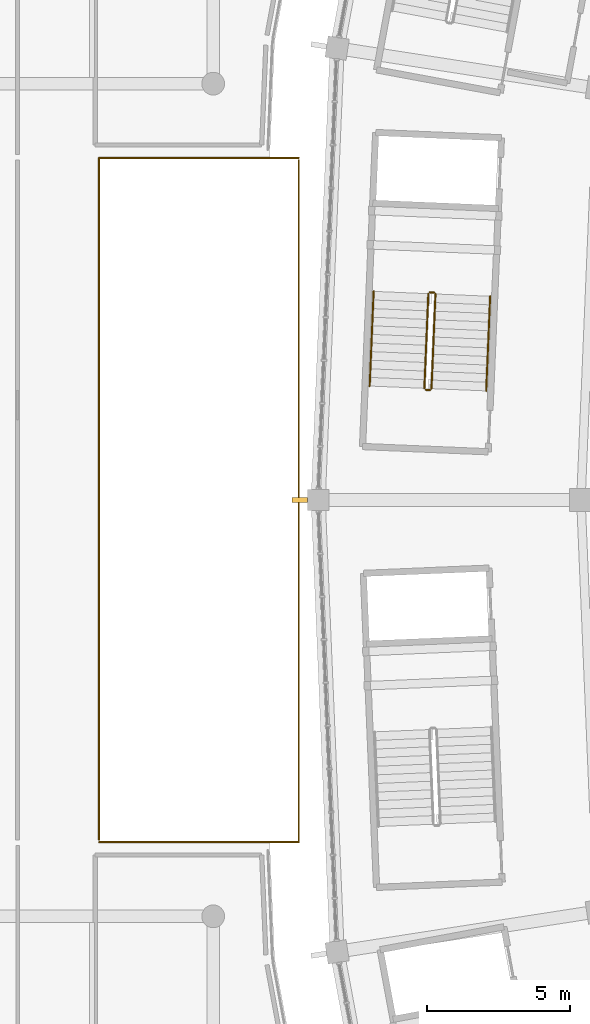
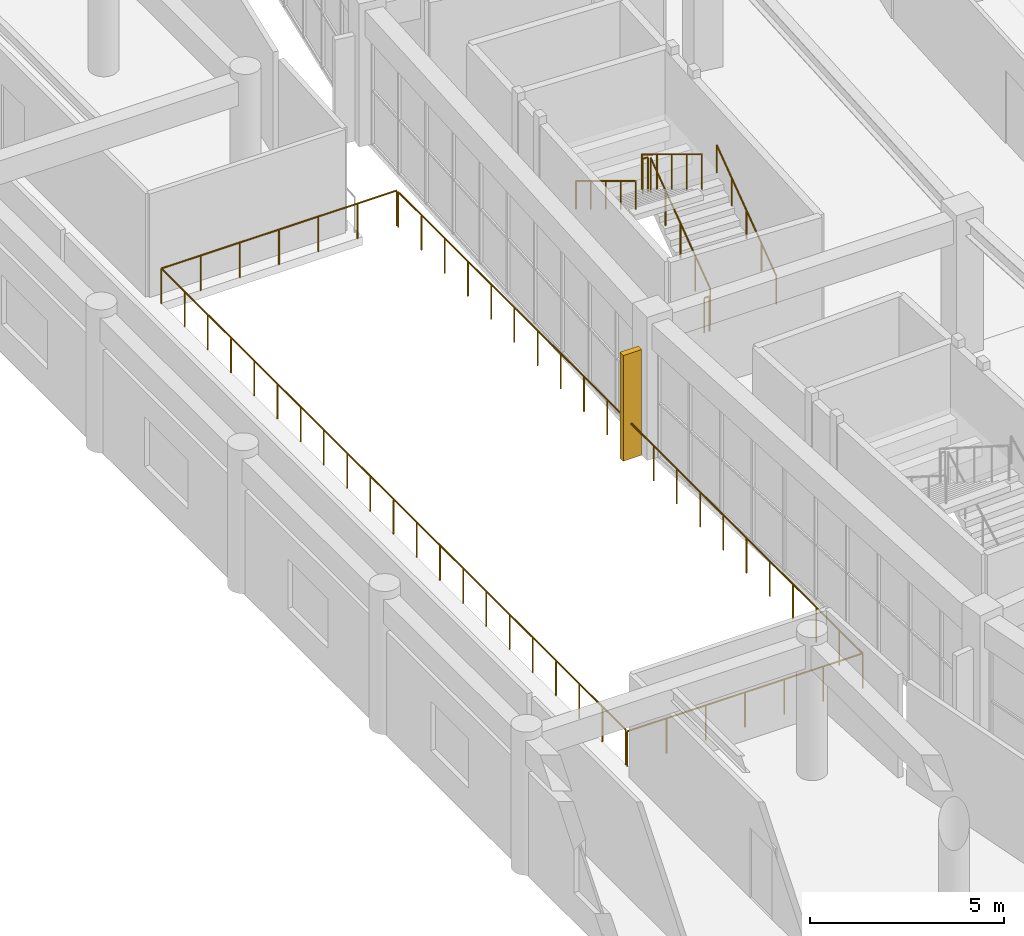
# One storey, part 121 of 141: 8 railings, 1 shading device.
"""IFC4 building model written with IfcOpenShell, lengths in metres."""

from ifc_helpers import new_model, si_unit, direction, frame, origin, origin_2d, place, context, subcontext, project, spatial, rectangle, circle, extrude, material, type_object, element, save


model = new_model("IFC4")

# Units and contexts
model_context = context("Model", 3, precision=1e-05, world=origin(), true_north=direction((0.0, 1.0)))
body_context = subcontext(model_context, "Body", "Model", "MODEL_VIEW")
ifc_project = project(units=[si_unit("LENGTHUNIT", "METRE"), si_unit("AREAUNIT", "SQUARE_METRE"), si_unit("VOLUMEUNIT", "CUBIC_METRE"), si_unit("PLANEANGLEUNIT", "RADIAN"), si_unit("MASSUNIT", "GRAM", prefix="KILO")], contexts=[model_context])

# Site, building, storey
site_placement = place(None, origin())
site = spatial("IfcSite", under=ifc_project, at=site_placement, CompositionType="ELEMENT")
building_placement = place(site_placement, origin())
building = spatial("IfcBuilding", under=site, at=building_placement, Name="Mphavela Belvedere Stadium", CompositionType="ELEMENT")
storey_placement = place(building_placement, frame((0.0, 0.0, 14.699951171875)))
storey = spatial("IfcBuildingStorey", under=building, at=storey_placement, Name="L03", CompositionType="ELEMENT", Elevation=14.699951171875)

# Railings
ifc_material_1 = material(Name="Bronze and laminated glass stadium balustrade", Category="glass")
railing_type_1 = type_object("IfcRailingType", Name="RAL-BALUSTRADE-1120", PredefinedType="BALUSTRADE", material=ifc_material_1)
railing_1_placement = place(storey_placement, frame((4.5, 75.0, 0.0)))
element("IfcRailing", 1, at=railing_1_placement, inside=storey, type_object=railing_type_1, Name="West Planted Eaves Peristyle Colonnade court balustrade L03-A", PredefinedType="BALUSTRADE", context=body_context, shape_type="SweptSolid", body=[
    extrude(circle(Radius=0.02392578125, at=origin_2d()), frame((0.0, 0.0, 1.09619140625), z_axis=(1.0, 0.0, 0.0), x_axis=(0.0, 1.0, 0.0)), (0.0, 0.0, 1.0), 7.0),
    extrude(circle(Radius=0.02392578125, at=origin_2d()), frame((7.0, 0.0, 1.09619140625), z_axis=(0.0, 1.0, 0.0), x_axis=(-1.0, 0.0, 0.0)), (0.0, 0.0, 1.0), 23.919921875),
    extrude(circle(Radius=0.02099609375, at=origin_2d()), origin(), (0.0, 0.0, 1.0), 1.072021484375),
    extrude(circle(Radius=0.02099609375, at=origin_2d()), frame((1.166748046875, 0.0, 0.0)), (0.0, 0.0, 1.0), 1.072021484375),
    extrude(circle(Radius=0.02099609375, at=origin_2d()), frame((2.333251953125, 0.0, 0.0)), (0.0, 0.0, 1.0), 1.072021484375),
    extrude(circle(Radius=0.02099609375, at=origin_2d()), frame((3.5, 0.0, 0.0)), (0.0, 0.0, 1.0), 1.072021484375),
    extrude(circle(Radius=0.02099609375, at=origin_2d()), frame((4.666748046875, 0.0, 0.0)), (0.0, 0.0, 1.0), 1.072021484375),
    extrude(circle(Radius=0.02099609375, at=origin_2d()), frame((5.833251953125, 0.0, 0.0)), (0.0, 0.0, 1.0), 1.072021484375),
    extrude(circle(Radius=0.02099609375, at=origin_2d()), frame((7.0, 0.0, 0.0)), (0.0, 0.0, 1.0), 1.072021484375),
    extrude(circle(Radius=0.02099609375, at=origin_2d()), frame((7.0, 1.196044921875, 0.0)), (0.0, 0.0, 1.0), 1.072021484375),
    extrude(circle(Radius=0.02099609375, at=origin_2d()), frame((7.0, 2.39208984375, 0.0)), (0.0, 0.0, 1.0), 1.072021484375),
    extrude(circle(Radius=0.02099609375, at=origin_2d()), frame((7.0, 3.587890625, 0.0)), (0.0, 0.0, 1.0), 1.072021484375),
    extrude(circle(Radius=0.02099609375, at=origin_2d()), frame((7.0, 4.783935546875, 0.0)), (0.0, 0.0, 1.0), 1.072021484375),
    extrude(circle(Radius=0.02099609375, at=origin_2d()), frame((7.0, 5.97998046875, 0.0)), (0.0, 0.0, 1.0), 1.072021484375),
    extrude(circle(Radius=0.02099609375, at=origin_2d()), frame((7.0, 7.176025390625, 0.0)), (0.0, 0.0, 1.0), 1.072021484375),
    extrude(circle(Radius=0.02099609375, at=origin_2d()), frame((7.0, 8.3720703125, 0.0)), (0.0, 0.0, 1.0), 1.072021484375),
    extrude(circle(Radius=0.02099609375, at=origin_2d()), frame((7.0, 9.56787109375, 0.0)), (0.0, 0.0, 1.0), 1.072021484375),
    extrude(circle(Radius=0.02099609375, at=origin_2d()), frame((7.0, 10.763916015625, 0.0)), (0.0, 0.0, 1.0), 1.072021484375),
    extrude(circle(Radius=0.02099609375, at=origin_2d()), frame((7.0, 11.9599609375, 0.0)), (0.0, 0.0, 1.0), 1.072021484375),
    extrude(circle(Radius=0.02099609375, at=origin_2d()), frame((7.0, 13.156005859375, 0.0)), (0.0, 0.0, 1.0), 1.072021484375),
    extrude(circle(Radius=0.02099609375, at=origin_2d()), frame((7.0, 14.35205078125, 0.0)), (0.0, 0.0, 1.0), 1.072021484375),
    extrude(circle(Radius=0.02099609375, at=origin_2d()), frame((7.0, 15.5478515625, 0.0)), (0.0, 0.0, 1.0), 1.072021484375),
    extrude(circle(Radius=0.02099609375, at=origin_2d()), frame((7.0, 16.743896484375, 0.0)), (0.0, 0.0, 1.0), 1.072021484375),
    extrude(circle(Radius=0.02099609375, at=origin_2d()), frame((7.0, 17.93994140625, 0.0)), (0.0, 0.0, 1.0), 1.072021484375),
    extrude(circle(Radius=0.02099609375, at=origin_2d()), frame((7.0, 19.135986328125, 0.0)), (0.0, 0.0, 1.0), 1.072021484375),
    extrude(circle(Radius=0.02099609375, at=origin_2d()), frame((7.0, 20.33203125, 0.0)), (0.0, 0.0, 1.0), 1.072021484375),
    extrude(circle(Radius=0.02099609375, at=origin_2d()), frame((7.0, 21.52783203125, 0.0)), (0.0, 0.0, 1.0), 1.072021484375),
    extrude(circle(Radius=0.02099609375, at=origin_2d()), frame((7.0, 22.723876953125, 0.0)), (0.0, 0.0, 1.0), 1.072021484375),
    extrude(circle(Radius=0.02099609375, at=origin_2d()), frame((7.0, 23.919921875, 0.0)), (0.0, 0.0, 1.0), 1.072021484375),
])
railing_2_placement = place(storey_placement, frame((11.5, 99.0, 0.0)))
element("IfcRailing", 2, at=railing_2_placement, inside=storey, type_object=railing_type_1, Name="West Planted Eaves Peristyle Colonnade court balustrade L03-B", PredefinedType="BALUSTRADE", context=body_context, shape_type="SweptSolid", body=[
    extrude(circle(Radius=0.02392578125, at=origin_2d()), frame((0.0, 0.0, 1.09619140625), z_axis=(-1.0, 0.0, 0.0), x_axis=(0.0, -1.0, 0.0)), (0.0, 0.0, 1.0), 7.0),
    extrude(circle(Radius=0.02392578125, at=origin_2d()), frame((-7.0, 0.0, 1.09619140625), z_axis=(0.0, -1.0, 0.0), x_axis=(1.0, 0.0, 0.0)), (0.0, 0.0, 1.0), 23.919921875),
    extrude(circle(Radius=0.02099609375, at=origin_2d()), origin(), (0.0, 0.0, 1.0), 1.072021484375),
    extrude(circle(Radius=0.02099609375, at=origin_2d()), frame((-1.166748046875, 0.0, 0.0)), (0.0, 0.0, 1.0), 1.072021484375),
    extrude(circle(Radius=0.02099609375, at=origin_2d()), frame((-2.333251953125, 0.0, 0.0)), (0.0, 0.0, 1.0), 1.072021484375),
    extrude(circle(Radius=0.02099609375, at=origin_2d()), frame((-3.5, 0.0, 0.0)), (0.0, 0.0, 1.0), 1.072021484375),
    extrude(circle(Radius=0.02099609375, at=origin_2d()), frame((-4.666748046875, 0.0, 0.0)), (0.0, 0.0, 1.0), 1.072021484375),
    extrude(circle(Radius=0.02099609375, at=origin_2d()), frame((-5.833251953125, 0.0, 0.0)), (0.0, 0.0, 1.0), 1.072021484375),
    extrude(circle(Radius=0.02099609375, at=origin_2d()), frame((-7.0, 0.0, 0.0)), (0.0, 0.0, 1.0), 1.072021484375),
    extrude(circle(Radius=0.02099609375, at=origin_2d()), frame((-7.0, -1.196044921875, 0.0)), (0.0, 0.0, 1.0), 1.072021484375),
    extrude(circle(Radius=0.02099609375, at=origin_2d()), frame((-7.0, -2.39208984375, 0.0)), (0.0, 0.0, 1.0), 1.072021484375),
    extrude(circle(Radius=0.02099609375, at=origin_2d()), frame((-7.0, -3.587890625, 0.0)), (0.0, 0.0, 1.0), 1.072021484375),
    extrude(circle(Radius=0.02099609375, at=origin_2d()), frame((-7.0, -4.783935546875, 0.0)), (0.0, 0.0, 1.0), 1.072021484375),
    extrude(circle(Radius=0.02099609375, at=origin_2d()), frame((-7.0, -5.97998046875, 0.0)), (0.0, 0.0, 1.0), 1.072021484375),
    extrude(circle(Radius=0.02099609375, at=origin_2d()), frame((-7.0, -7.176025390625, 0.0)), (0.0, 0.0, 1.0), 1.072021484375),
    extrude(circle(Radius=0.02099609375, at=origin_2d()), frame((-7.0, -8.3720703125, 0.0)), (0.0, 0.0, 1.0), 1.072021484375),
    extrude(circle(Radius=0.02099609375, at=origin_2d()), frame((-7.0, -9.56787109375, 0.0)), (0.0, 0.0, 1.0), 1.072021484375),
    extrude(circle(Radius=0.02099609375, at=origin_2d()), frame((-7.0, -10.763916015625, 0.0)), (0.0, 0.0, 1.0), 1.072021484375),
    extrude(circle(Radius=0.02099609375, at=origin_2d()), frame((-7.0, -11.9599609375, 0.0)), (0.0, 0.0, 1.0), 1.072021484375),
    extrude(circle(Radius=0.02099609375, at=origin_2d()), frame((-7.0, -13.156005859375, 0.0)), (0.0, 0.0, 1.0), 1.072021484375),
    extrude(circle(Radius=0.02099609375, at=origin_2d()), frame((-7.0, -14.35205078125, 0.0)), (0.0, 0.0, 1.0), 1.072021484375),
    extrude(circle(Radius=0.02099609375, at=origin_2d()), frame((-7.0, -15.5478515625, 0.0)), (0.0, 0.0, 1.0), 1.072021484375),
    extrude(circle(Radius=0.02099609375, at=origin_2d()), frame((-7.0, -16.743896484375, 0.0)), (0.0, 0.0, 1.0), 1.072021484375),
    extrude(circle(Radius=0.02099609375, at=origin_2d()), frame((-7.0, -17.93994140625, 0.0)), (0.0, 0.0, 1.0), 1.072021484375),
    extrude(circle(Radius=0.02099609375, at=origin_2d()), frame((-7.0, -19.135986328125, 0.0)), (0.0, 0.0, 1.0), 1.072021484375),
    extrude(circle(Radius=0.02099609375, at=origin_2d()), frame((-7.0, -20.33203125, 0.0)), (0.0, 0.0, 1.0), 1.072021484375),
    extrude(circle(Radius=0.02099609375, at=origin_2d()), frame((-7.0, -21.52783203125, 0.0)), (0.0, 0.0, 1.0), 1.072021484375),
    extrude(circle(Radius=0.02099609375, at=origin_2d()), frame((-7.0, -22.723876953125, 0.0)), (0.0, 0.0, 1.0), 1.072021484375),
    extrude(circle(Radius=0.02099609375, at=origin_2d()), frame((-7.0, -23.919921875, 0.0)), (0.0, 0.0, 1.0), 1.072021484375),
])
ifc_material_2 = material(Name="Painted galvanised steel stair guardrail", Category="steel")
railing_type_2 = type_object("IfcRailingType", Name="RAL-GUARD-1120", PredefinedType="GUARDRAIL", material=ifc_material_2)
railing_3_placement = place(storey_placement, frame((16.15478515625, 90.906005859375, 0.1875)))
element("IfcRailing", 3, at=railing_3_placement, inside=storey, type_object=railing_type_2, Name="L03 ST-C07 stair guard 1", PredefinedType="GUARDRAIL", context=body_context, shape_type="SweptSolid", body=[
    extrude(circle(Radius=0.02392578125, at=origin_2d()), frame((0.0, 0.0, 1.09619140625), z_axis=(0.035589037861, 0.848829771435, 0.527467003243), x_axis=(-0.999122212945, 0.041890375975, 0.0)), (0.0, 0.0, 1.0), 3.91015625),
    extrude(circle(Radius=0.02099609375, at=origin_2d()), origin(), (0.0, 0.0, 1.0), 1.072021484375),
    extrude(circle(Radius=0.02099609375, at=origin_2d()), frame((0.03466796875, 0.829833984375, 0.515625)), (0.0, 0.0, 1.0), 1.072021484375),
    extrude(circle(Radius=0.02099609375, at=origin_2d()), frame((0.069580078125, 1.65966796875, 1.03125)), (0.0, 0.0, 1.0), 1.072021484375),
    extrude(circle(Radius=0.02099609375, at=origin_2d()), frame((0.1044921875, 2.4892578125, 1.546875)), (0.0, 0.0, 1.0), 1.072021484375),
    extrude(circle(Radius=0.02099609375, at=origin_2d()), frame((0.13916015625, 3.319091796875, 2.0625)), (0.0, 0.0, 1.0), 1.072021484375),
])
railing_4_placement = place(storey_placement, frame((16.245849609375, 94.277099609375, 2.25)))
element("IfcRailing", 4, at=railing_4_placement, inside=storey, type_object=railing_type_2, Name="L03 ST-C07 stair guard 2", PredefinedType="GUARDRAIL", context=body_context, shape_type="SweptSolid", body=[
    extrude(circle(Radius=0.02392578125, at=origin_2d()), frame((0.0, 0.0, 1.09619140625), z_axis=(-0.999101723022, 0.042376255789, 0.0), x_axis=(-0.042376255789, -0.999101723022, 0.0)), (0.0, 0.0, 1.0), 0.14990234375),
    extrude(circle(Radius=0.02099609375, at=origin_2d()), origin(), (0.0, 0.0, 1.0), 1.072021484375),
    extrude(circle(Radius=0.02099609375, at=origin_2d()), frame((-0.149658203125, 0.00634765625, 0.0)), (0.0, 0.0, 1.0), 1.072021484375),
])
railing_5_placement = place(storey_placement, frame((16.0439453125, 94.235595703125, 2.4375)))
element("IfcRailing", 5, at=railing_5_placement, inside=storey, type_object=railing_type_2, Name="L03 ST-C07 stair guard 3", PredefinedType="GUARDRAIL", context=body_context, shape_type="SweptSolid", body=[
    extrude(circle(Radius=0.02392578125, at=origin_2d()), frame((0.0, 0.0, 1.09619140625), z_axis=(-0.035526679826, -0.848831655946, 0.527468174287), x_axis=(0.999125286162, -0.041817012712, 0.0)), (0.0, 0.0, 1.0), 3.91015625),
    extrude(circle(Radius=0.02099609375, at=origin_2d()), origin(), (0.0, 0.0, 1.0), 1.072021484375),
    extrude(circle(Radius=0.02099609375, at=origin_2d()), frame((-0.03466796875, -0.829833984375, 0.515625)), (0.0, 0.0, 1.0), 1.072021484375),
    extrude(circle(Radius=0.02099609375, at=origin_2d()), frame((-0.0693359375, -1.65966796875, 1.03125)), (0.0, 0.0, 1.0), 1.072021484375),
    extrude(circle(Radius=0.02099609375, at=origin_2d()), frame((-0.104248046875, -2.4892578125, 1.546875)), (0.0, 0.0, 1.0), 1.072021484375),
    extrude(circle(Radius=0.02099609375, at=origin_2d()), frame((-0.138916015625, -3.319091796875, 2.0625)), (0.0, 0.0, 1.0), 1.072021484375),
])
railing_6_placement = place(storey_placement, frame((16.102783203125, 90.858154296875, 0.0)))
element("IfcRailing", 6, at=railing_6_placement, inside=storey, type_object=railing_type_2, Name="L03 ST-C07 stair guard 4", PredefinedType="GUARDRAIL", context=body_context, shape_type="SweptSolid", body=[
    extrude(circle(Radius=0.02392578125, at=origin_2d()), frame((0.0, 0.0, 1.09619140625), z_axis=(-0.999104642697, 0.04230736272, 0.0), x_axis=(-0.04230736272, -0.999104642697, 0.0)), (0.0, 0.0, 1.0), 0.150146484375),
    extrude(circle(Radius=0.02099609375, at=origin_2d()), origin(), (0.0, 0.0, 1.0), 1.072021484375),
    extrude(circle(Radius=0.02099609375, at=origin_2d()), frame((-0.14990234375, 0.00634765625, 0.0)), (0.0, 0.0, 1.0), 1.072021484375),
])
ifc_material_3 = material(Name="Brushed stainless steel tubular handrail", Category="steel")
railing_type_3 = type_object("IfcRailingType", Name="RAL-HANDRAIL-900", PredefinedType="HANDRAIL", material=ifc_material_3)
railing_7_placement = place(storey_placement, frame((18.072998046875, 90.82568359375, 0.1875)))
element("IfcRailing", 7, at=railing_7_placement, inside=storey, type_object=railing_type_3, Name="L03 ST-C07 stair handrail 1", PredefinedType="HANDRAIL", context=body_context, shape_type="SweptSolid", body=[
    extrude(circle(Radius=0.02392578125, at=origin_2d()), frame((0.0, 0.0, 0.8759765625), z_axis=(0.035589037861, 0.848829771435, 0.527467003243), x_axis=(-0.999122212945, 0.041890375975, 0.0)), (0.0, 0.0, 1.0), 3.91015625),
    extrude(circle(Radius=0.02099609375, at=origin_2d()), origin(), (0.0, 0.0, 1.0), 0.851806640625),
    extrude(circle(Radius=0.02099609375, at=origin_2d()), frame((0.03466796875, 0.829833984375, 0.515625)), (0.0, 0.0, 1.0), 0.851806640625),
    extrude(circle(Radius=0.02099609375, at=origin_2d()), frame((0.069580078125, 1.65966796875, 1.03125)), (0.0, 0.0, 1.0), 0.851806640625),
    extrude(circle(Radius=0.02099609375, at=origin_2d()), frame((0.1044921875, 2.4892578125, 1.546875)), (0.0, 0.0, 1.0), 0.851806640625),
    extrude(circle(Radius=0.02099609375, at=origin_2d()), frame((0.13916015625, 3.319091796875, 2.0625)), (0.0, 0.0, 1.0), 0.851806640625),
])
railing_8_placement = place(storey_placement, frame((14.125732421875, 94.31591796875, 2.4375)))
element("IfcRailing", 8, at=railing_8_placement, inside=storey, type_object=railing_type_3, Name="L03 ST-C07 stair handrail 2", PredefinedType="HANDRAIL", context=body_context, shape_type="SweptSolid", body=[
    extrude(circle(Radius=0.02392578125, at=origin_2d()), frame((0.0, 0.0, 0.8759765625), z_axis=(-0.035589037861, -0.848829771435, 0.527467003243), x_axis=(0.999122212945, -0.041890375975, 0.0)), (0.0, 0.0, 1.0), 3.91015625),
    extrude(circle(Radius=0.02099609375, at=origin_2d()), origin(), (0.0, 0.0, 1.0), 0.851806640625),
    extrude(circle(Radius=0.02099609375, at=origin_2d()), frame((-0.03466796875, -0.829833984375, 0.515625)), (0.0, 0.0, 1.0), 0.851806640625),
    extrude(circle(Radius=0.02099609375, at=origin_2d()), frame((-0.069580078125, -1.65966796875, 1.03125)), (0.0, 0.0, 1.0), 0.851806640625),
    extrude(circle(Radius=0.02099609375, at=origin_2d()), frame((-0.1044921875, -2.4892578125, 1.546875)), (0.0, 0.0, 1.0), 0.851806640625),
    extrude(circle(Radius=0.02099609375, at=origin_2d()), frame((-0.13916015625, -3.319091796875, 2.0625)), (0.0, 0.0, 1.0), 0.851806640625),
])

# Shading device
ifc_material_4 = material(Name="Honed limestone and bronze vertical brise-soleil fin", Category="masonry")
shading_device_type = type_object("IfcShadingDeviceType", Name="SHD-SOLAR-FIN", PredefinedType="USERDEFINED", material=ifc_material_4)
shading_device_placement = place(storey_placement, frame((11.531982421875, 87.0, 0.0), z_axis=(0.0, 0.0, 1.0), x_axis=(-1.0, 0.0, 0.0)))
element("IfcShadingDevice", 9, at=shading_device_placement, inside=storey, type_object=shading_device_type, Name="Classical vertical solar brise-soleil fin L03-25", ObjectType="SOLAR FIN", PredefinedType="USERDEFINED", context=body_context, shape_type="SweptSolid", body=[
    extrude(rectangle(XDim=0.550048828125, YDim=0.179931640625, at=origin_2d()), origin(), (0.0, 0.0, 1.0), 3.320068359375),
])

save(model, "model.ifc")
